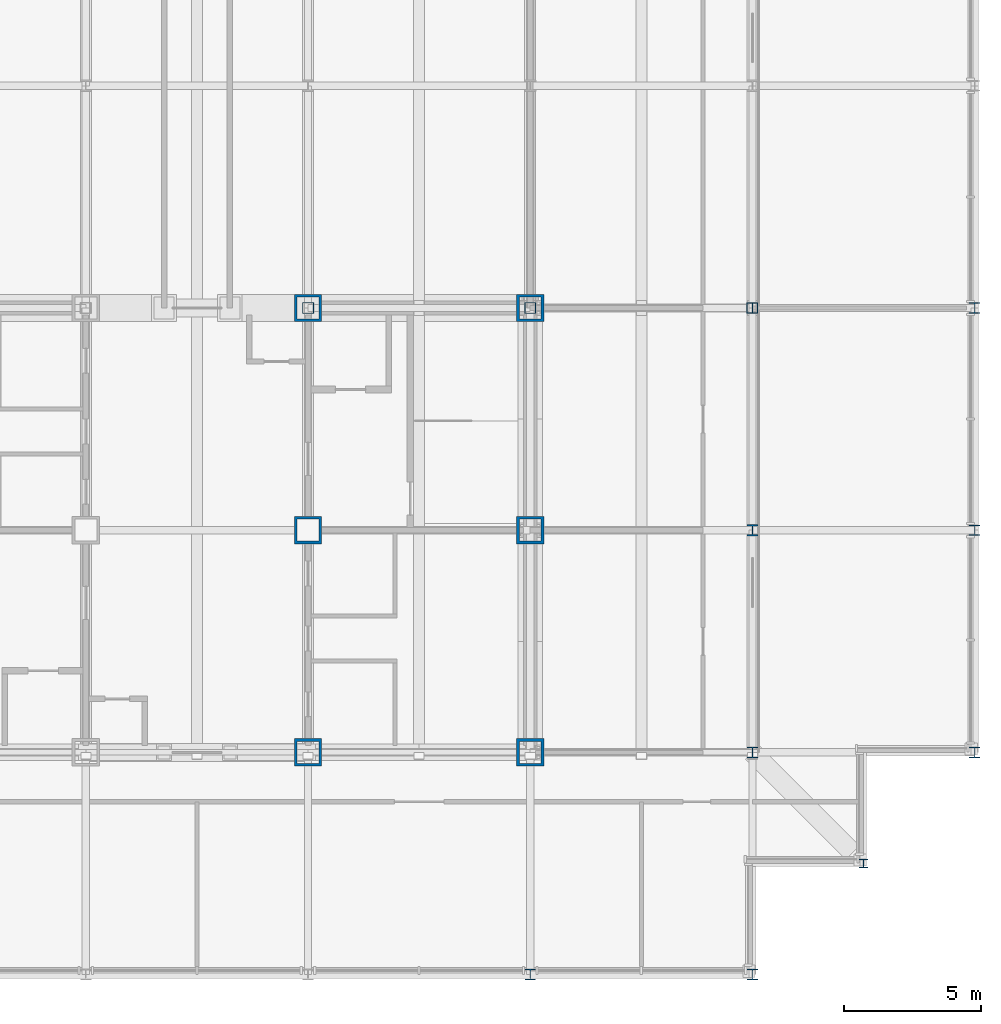
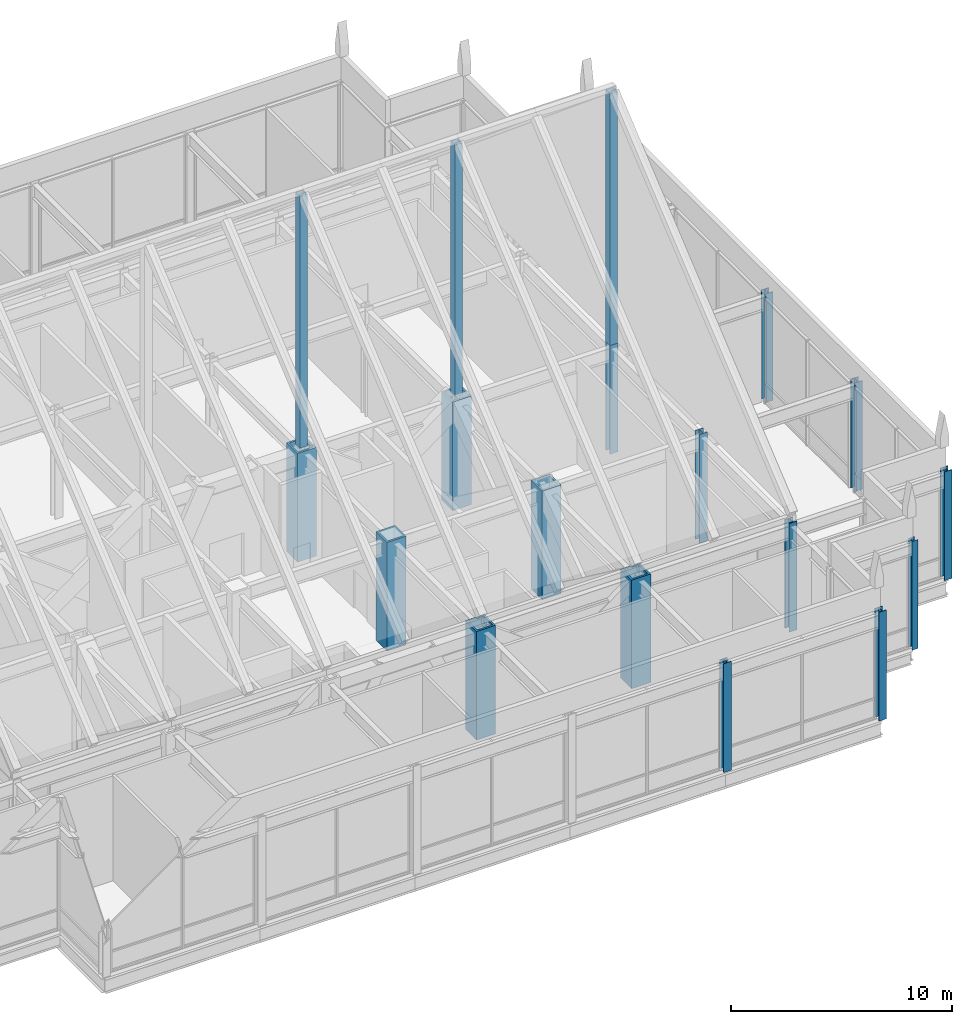
# One storey, part 2 of 22: 18 columns.
"""IFC4 building model written with IfcOpenShell, lengths in metres."""

from ifc_helpers import new_model, si_unit, direction, frame, origin, origin_2d, place, context, subcontext, project, spatial, hollow_rectangle, i_section, extrude, material, material_profile, profile_set, type_object, element, save


model = new_model("IFC4")

# Units and contexts
model_context = context("Model", 3, precision=1e-05, world=origin(), true_north=direction((0.0, 1.0)))
body_context = subcontext(model_context, "Body", "Model", "MODEL_VIEW")
ifc_project = project(units=[si_unit("LENGTHUNIT", "METRE"), si_unit("AREAUNIT", "SQUARE_METRE"), si_unit("VOLUMEUNIT", "CUBIC_METRE"), si_unit("PLANEANGLEUNIT", "RADIAN"), si_unit("MASSUNIT", "GRAM", prefix="KILO")], contexts=[model_context])

# Site, building, storey
site_placement = place(None, origin())
site = spatial("IfcSite", under=ifc_project, at=site_placement, CompositionType="ELEMENT")
building_placement = place(site_placement, origin())
building = spatial("IfcBuilding", under=site, at=building_placement, Name="Kopane Lantern Tower", CompositionType="ELEMENT")
storey_placement = place(building_placement, frame((0.0, 0.0, 303.89990234375)))
storey = spatial("IfcBuildingStorey", under=building, at=storey_placement, Name="L77", CompositionType="ELEMENT", Elevation=303.89990234375)

# Columns
ifc_material_1 = material(Name="Steel S355JR", Category="steel")
ifc_material_profile_1 = material_profile(ifc_material_1, hollow_rectangle(XDim=1.0, YDim=1.0, WallThickness=0.10009765625, at=origin_2d()), Name="BOX 1000x1000x100")
ifc_profile_set_1 = profile_set([ifc_material_profile_1], Name="Steel S355JR")
column_type_1 = type_object("IfcColumnType", Name="COLUMN BOX 1000x1000x100", PredefinedType="COLUMN", material=ifc_profile_set_1)
for number, where, z_axis, x_axis, name in (
    (1, (32.39990234375, 24.300048828125, 0.0), (0.0, 0.0, 1.0), (1.0, 0.0, 0.0), "Column 6/E L77"),
    (2, (32.39990234375, 32.39990234375, 0.0), (0.0, 0.0, 1.0), (1.0, 0.0, 0.0), "Column 6/F L77"),
    (3, (32.39990234375, 40.5, 0.0), (0.0, 0.0, 1.0), (1.0, 0.0, 0.0), "Column 6/G L77"),
    (4, (40.5, 24.300048828125, 0.0), (0.0, 0.0, 1.0), (1.0, 0.0, 0.0), "Column 7/E L77"),
    (5, (40.5, 32.39990234375, 0.0), (0.0, 0.0, 1.0), (1.0, 0.0, 0.0), "Column 7/F L77"),
    (6, (40.5, 40.5, 0.0), (0.0, 0.0, 1.0), (1.0, 0.0, 0.0), "Column 7/G L77"),
):
    element("IfcColumn", number, at=place(storey_placement, frame(where, z_axis=z_axis, x_axis=x_axis)), inside=storey, type_object=column_type_1, Name=name, PredefinedType="COLUMN", context=body_context, shape_type="SweptSolid", body=[
        extrude(hollow_rectangle(XDim=1.0, YDim=1.0, WallThickness=0.10009765625, at=origin_2d()), origin(), (0.0, 0.0, 1.0), 6.0),
    ])
ifc_material_2 = material(Name="Steel S355JR", Category="steel")
ifc_material_profile_2 = material_profile(ifc_material_2, i_section(OverallWidth=0.307373046875, OverallDepth=0.314453125, WebThickness=0.011962890625, FlangeThickness=0.018798828125, FilletRadius=0.01513671875, at=origin_2d()), Name="UC 305x305x118")
ifc_profile_set_2 = profile_set([ifc_material_profile_2], Name="Steel S355JR")
column_type_2 = type_object("IfcColumnType", Name="COLUMN UC 305x305x118", PredefinedType="COLUMN", material=ifc_profile_set_2)
column_placement = place(storey_placement, frame((52.64990234375, 20.25, 0.0), z_axis=(0.0, 0.0, 1.0), x_axis=(1.0, 0.0, 0.0)))
element("IfcColumn", 7, at=column_placement, inside=storey, type_object=column_type_2, Name="Column 52.65/20.25 L77", PredefinedType="COLUMN", context=body_context, shape_type="SweptSolid", body=[
    extrude(i_section(OverallWidth=0.307373046875, OverallDepth=0.314453125, WebThickness=0.011962890625, FlangeThickness=0.018798828125, FilletRadius=0.01513671875, at=origin_2d()), origin(), (0.0, 0.0, 1.0), 6.0),
])
ifc_material_3 = material(Name="Steel S355JR", Category="steel")
ifc_material_profile_3 = material_profile(ifc_material_3, i_section(OverallWidth=0.39892578125, OverallDepth=0.3935546875, WebThickness=0.022705078125, FlangeThickness=0.03662109375, FilletRadius=0.01513671875, at=origin_2d()), Name="UC 356x406x287")
ifc_profile_set_3 = profile_set([ifc_material_profile_3], Name="Steel S355JR")
column_type_3 = type_object("IfcColumnType", Name="COLUMN UC 356x406x287", PredefinedType="COLUMN", material=ifc_profile_set_3)
for number, where, z_axis, x_axis, name in (
    (8, (40.5, 16.199951171875, 0.0), (0.0, 0.0, 1.0), (1.0, 0.0, 0.0), "Column 7/D L77"),
    (9, (48.60009765625, 16.199951171875, 0.0), (0.0, 0.0, 1.0), (1.0, 0.0, 0.0), "Column 8/D L77"),
    (10, (56.699951171875, 24.300048828125, 0.0), (0.0, 0.0, 1.0), (1.0, 0.0, 0.0), "Column 9/E L77"),
    (11, (56.699951171875, 32.39990234375, 0.0), (0.0, 0.0, 1.0), (1.0, 0.0, 0.0), "Column 9/F L77"),
    (12, (56.699951171875, 40.5, 0.0), (0.0, 0.0, 1.0), (1.0, 0.0, 0.0), "Column 9/G L77"),
):
    element("IfcColumn", number, at=place(storey_placement, frame(where, z_axis=z_axis, x_axis=x_axis)), inside=storey, type_object=column_type_3, Name=name, PredefinedType="COLUMN", context=body_context, shape_type="SweptSolid", body=[
        extrude(i_section(OverallWidth=0.39892578125, OverallDepth=0.3935546875, WebThickness=0.022705078125, FlangeThickness=0.03662109375, FilletRadius=0.01513671875, at=origin_2d()), origin(), (0.0, 0.0, 1.0), 6.0),
    ])
ifc_material_4 = material(Name="Steel S355JR", Category="steel")
ifc_material_profile_4 = material_profile(ifc_material_4, i_section(OverallWidth=0.403076171875, OverallDepth=0.406494140625, WebThickness=0.026611328125, FlangeThickness=0.04296875, FilletRadius=0.01513671875, at=origin_2d()), Name="UC 356x406x340")
ifc_profile_set_4 = profile_set([ifc_material_profile_4], Name="Steel S355JR")
column_type_4 = type_object("IfcColumnType", Name="COLUMN UC 356x406x340", PredefinedType="COLUMN", material=ifc_profile_set_4)
for number, where, z_axis, x_axis, name in (
    (13, (48.60009765625, 24.300048828125, 0.0), (0.0, 0.0, 1.0), (1.0, 0.0, 0.0), "Column 8/E L77"),
    (14, (48.60009765625, 32.39990234375, 0.0), (0.0, 0.0, 1.0), (1.0, 0.0, 0.0), "Column 8/F L77"),
    (15, (48.60009765625, 40.5, 0.0), (0.0, 0.0, 1.0), (1.0, 0.0, 0.0), "Column 8/G L77"),
):
    element("IfcColumn", number, at=place(storey_placement, frame(where, z_axis=z_axis, x_axis=x_axis)), inside=storey, type_object=column_type_4, Name=name, PredefinedType="COLUMN", context=body_context, shape_type="SweptSolid", body=[
        extrude(i_section(OverallWidth=0.403076171875, OverallDepth=0.406494140625, WebThickness=0.026611328125, FlangeThickness=0.04296875, FilletRadius=0.01513671875, at=origin_2d()), origin(), (0.0, 0.0, 1.0), 6.0),
    ])
ifc_material_5 = material(Name="Steel S355JR", Category="steel")
ifc_material_profile_5 = material_profile(ifc_material_5, hollow_rectangle(XDim=0.39990234375, YDim=0.39990234375, WallThickness=0.01611328125, at=origin_2d()), Name="RHS 400x400x16")
ifc_profile_set_5 = profile_set([ifc_material_profile_5], Name="Steel S355JR")
column_type_5 = type_object("IfcColumnType", Name="LANTERN POST SHS 400x400x16", PredefinedType="COLUMN", material=ifc_profile_set_5)
for number, where, z_axis, x_axis, name in (
    (16, (32.39990234375, 40.5, 6.0), (0.0, 0.0, 1.0), (1.0, 0.0, 0.0), "Lantern post"),
    (17, (40.5, 40.5, 6.0), (0.0, 0.0, 1.0), (1.0, 0.0, 0.0), "Lantern post"),
    (18, (48.60009765625, 40.5, 6.0), (0.0, 0.0, 1.0), (1.0, 0.0, 0.0), "Lantern post"),
):
    element("IfcColumn", number, at=place(storey_placement, frame(where, z_axis=z_axis, x_axis=x_axis)), inside=storey, type_object=column_type_5, Name=name, PredefinedType="COLUMN", context=body_context, shape_type="SweptSolid", body=[
        extrude(hollow_rectangle(XDim=0.39990234375, YDim=0.39990234375, WallThickness=0.01611328125, at=origin_2d()), origin(), (0.0, 0.0, 1.0), 13.895751953125),
    ])

save(model, "model.ifc")
